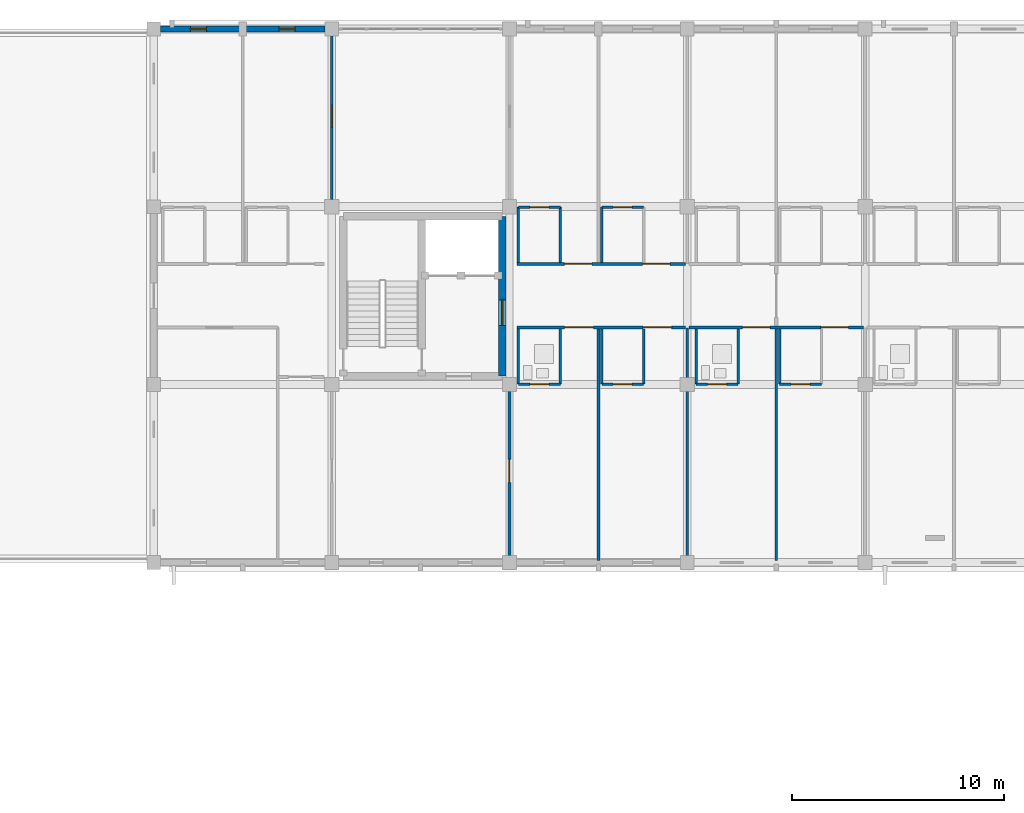
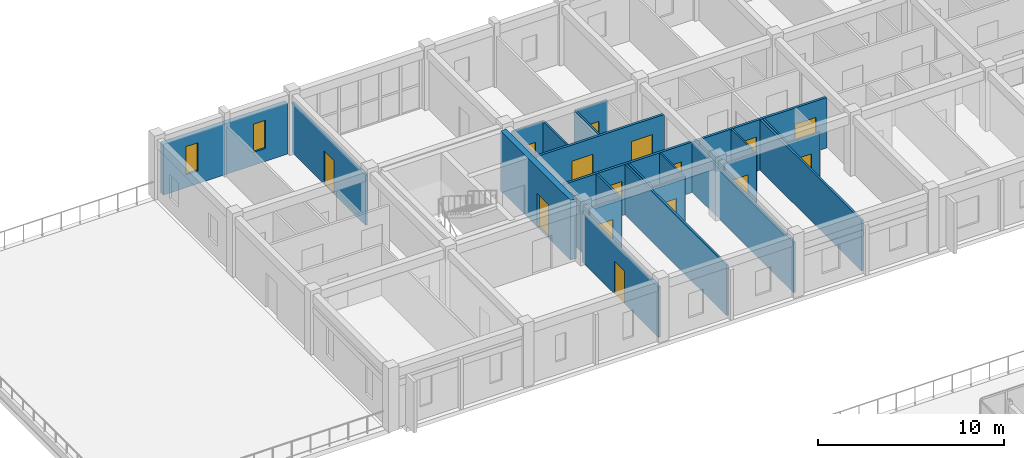
# One storey, part 70 of 90: 26 walls, 15 doors, 2 windows, 17 openings.
"""IFC4 building model written with IfcOpenShell, lengths in metres."""

from ifc_helpers import new_model, si_unit, direction, frame, frame_2d, origin, place, context, subcontext, project, spatial, rectangle, extrude, material, layer, layer_set, type_object, element, fill, save


model = new_model("IFC4")

# Units and contexts
model_context = context("Model", 3, precision=1e-05, world=origin(), true_north=direction((0.0, 1.0)))
body_context = subcontext(model_context, "Body", "Model", "MODEL_VIEW")
ifc_project = project(units=[si_unit("LENGTHUNIT", "METRE"), si_unit("AREAUNIT", "SQUARE_METRE"), si_unit("VOLUMEUNIT", "CUBIC_METRE"), si_unit("PLANEANGLEUNIT", "RADIAN"), si_unit("MASSUNIT", "GRAM", prefix="KILO")], contexts=[model_context])

# Site, building, storey
site_placement = place(None, origin())
site = spatial("IfcSite", under=ifc_project, at=site_placement, CompositionType="ELEMENT")
building_placement = place(site_placement, origin())
building = spatial("IfcBuilding", under=site, at=building_placement, Name="Trelvath General Hospital", CompositionType="ELEMENT")
storey_placement = place(building_placement, frame((0.0, 0.0, 20.39990234375)))
storey = spatial("IfcBuildingStorey", under=building, at=storey_placement, Name="L05", CompositionType="ELEMENT", Elevation=20.39990234375)

# Wall, openings, doors
ifc_material_1 = material(Name="Gypsum acoustic steel-stud partition", Category="steel")
ifc_layer_1 = layer(ifc_material_1, 0.14990234375)
ifc_layer_set_1 = layer_set([ifc_layer_1], Name="Gypsum acoustic steel-stud partition")
wall_type_1 = type_object("IfcWallType", Name="ClinicalPartition 150", PredefinedType="PARTITIONING", material=ifc_layer_set_1)
wall_1_placement = place(storey_placement, frame((50.760009765625, 103.5, 0.0), z_axis=(0.0, 0.0, 1.0), x_axis=(1.0, 0.0, 0.0)))
wall_1 = element("IfcWall", 1, at=wall_1_placement, inside=storey, type_object=wall_type_1, Name="Corridor Partition L05-1879", PredefinedType="PARTITIONING", context=body_context, shape_type="SweptSolid", body=[
    extrude(rectangle(XDim=7.9599609375, YDim=0.14990234375, at=frame_2d((3.97998046875, 0.0))), origin(), (0.0, 0.0, 1.0), 3.320068359375),
])
opening_1_placement = place(wall_1_placement, frame((2.25, 0.0, 0.0)))
opening_1 = element("IfcOpeningElement", 2, at=opening_1_placement, cuts=wall_1, Name="Opening D-5-1233", PredefinedType="OPENING", context=body_context, shape_type="SweptSolid", body=[
    extrude(rectangle(XDim=1.35009765625, YDim=2.25, at=frame_2d((0.675048828125, 1.125))), frame((0.0, 0.0849609375, 0.0), z_axis=(0.0, -1.0, 0.0), x_axis=(1.0, 0.0, 0.0)), (0.0, 0.0, 1.0), 0.169921875),
])
opening_2_placement = place(wall_1_placement, frame((5.949951171875, 0.0, 0.0)))
opening_2 = element("IfcOpeningElement", 3, at=opening_2_placement, cuts=wall_1, Name="Opening D-5-1234", PredefinedType="OPENING", context=body_context, shape_type="SweptSolid", body=[
    extrude(rectangle(XDim=1.35009765625, YDim=2.25, at=frame_2d((0.675048828125, 1.125))), frame((0.0, 0.0849609375, 0.0), z_axis=(0.0, -1.0, 0.0), x_axis=(1.0, 0.0, 0.0)), (0.0, 0.0, 1.0), 0.169921875),
])
ifc_material_2 = material(Name="Airtight isolation bed door")
door_type_1 = type_object("IfcDoorType", Name="Door PatientIso 1350x2250", OperationType="NOTDEFINED", PredefinedType="DOOR", material=ifc_material_2)
door_1_placement = place(opening_1_placement, origin())
door_1 = element("IfcDoor", 4, at=door_1_placement, inside=storey, type_object=door_type_1, Name="Patient Room Door L05-1233", OperationType="SINGLE_SWING_RIGHT", OverallHeight=2.25, OverallWidth=1.35009765625, PredefinedType="DOOR", context=body_context, shape_type="SweptSolid", body=[
    extrude(rectangle(XDim=1.35009765625, YDim=2.25, at=frame_2d((0.675048828125, 1.125))), frame((0.0, 0.02490234375, 0.0), z_axis=(0.0, -1.0, 0.0), x_axis=(1.0, 0.0, 0.0)), (0.0, 0.0, 1.0), 0.050048828125),
])
fill(opening_1, door_1)
door_2_placement = place(opening_2_placement, origin())
door_2 = element("IfcDoor", 5, at=door_2_placement, inside=storey, type_object=door_type_1, Name="Patient Room Door L05-1234", OperationType="SINGLE_SWING_LEFT", OverallHeight=2.25, OverallWidth=1.35009765625, PredefinedType="DOOR", context=body_context, shape_type="SweptSolid", body=[
    extrude(rectangle(XDim=1.35009765625, YDim=2.25, at=frame_2d((0.675048828125, 1.125))), frame((0.0, 0.02490234375, 0.0), z_axis=(0.0, -1.0, 0.0), x_axis=(1.0, 0.0, 0.0)), (0.0, 0.0, 1.0), 0.050048828125),
])
fill(opening_2, door_2)

wall_2_placement = place(storey_placement, frame((58.719970703125, 106.5, 0.0), z_axis=(0.0, 0.0, 1.0), x_axis=(-1.0, 0.0, 0.0)))
wall_2 = element("IfcWall", 6, at=wall_2_placement, inside=storey, type_object=wall_type_1, Name="Corridor Partition N L05-1887", PredefinedType="PARTITIONING", context=body_context, shape_type="SweptSolid", body=[
    extrude(rectangle(XDim=7.9599609375, YDim=0.14990234375, at=frame_2d((3.97998046875, 0.0))), origin(), (0.0, 0.0, 1.0), 3.320068359375),
])
opening_3_placement = place(wall_2_placement, frame((0.72998046875, 0.0, 0.0)))
opening_3 = element("IfcOpeningElement", 7, at=opening_3_placement, cuts=wall_2, Name="Opening D-5-1237", PredefinedType="OPENING", context=body_context, shape_type="SweptSolid", body=[
    extrude(rectangle(XDim=1.300048828125, YDim=2.25, at=frame_2d((0.64990234375, 1.125))), frame((0.0, 0.0849609375, 0.0), z_axis=(0.0, -1.0, 0.0), x_axis=(1.0, 0.0, 0.0)), (0.0, 0.0, 1.0), 0.169921875),
])
opening_4_placement = place(wall_2_placement, frame((4.429931640625, 0.0, 0.0)))
opening_4 = element("IfcOpeningElement", 8, at=opening_4_placement, cuts=wall_2, Name="Opening D-5-1238", PredefinedType="OPENING", context=body_context, shape_type="SweptSolid", body=[
    extrude(rectangle(XDim=1.300048828125, YDim=2.25, at=frame_2d((0.64990234375, 1.125))), frame((0.0, 0.0849609375, 0.0), z_axis=(0.0, -1.0, 0.0), x_axis=(1.0, 0.0, 0.0)), (0.0, 0.0, 1.0), 0.169921875),
])
ifc_material_3 = material(Name="Hospital bed-leaf timber door", Category="wood")
door_type_2 = type_object("IfcDoorType", Name="Door PatientBed 1300x2250", OperationType="NOTDEFINED", PredefinedType="DOOR", material=ifc_material_3)
door_3_placement = place(opening_3_placement, origin())
door_3 = element("IfcDoor", 9, at=door_3_placement, inside=storey, type_object=door_type_2, Name="Patient Room Door N L05-1237", OperationType="SINGLE_SWING_RIGHT", OverallHeight=2.25, OverallWidth=1.300048828125, PredefinedType="DOOR", context=body_context, shape_type="SweptSolid", body=[
    extrude(rectangle(XDim=1.300048828125, YDim=2.25, at=frame_2d((0.64990234375, 1.125))), frame((0.0, 0.02490234375, 0.0), z_axis=(0.0, -1.0, 0.0), x_axis=(1.0, 0.0, 0.0)), (0.0, 0.0, 1.0), 0.050048828125),
])
fill(opening_3, door_3)
door_4_placement = place(opening_4_placement, origin())
door_4 = element("IfcDoor", 10, at=door_4_placement, inside=storey, type_object=door_type_2, Name="Patient Room Door N L05-1238", OperationType="SINGLE_SWING_RIGHT", OverallHeight=2.25, OverallWidth=1.300048828125, PredefinedType="DOOR", context=body_context, shape_type="SweptSolid", body=[
    extrude(rectangle(XDim=1.300048828125, YDim=2.25, at=frame_2d((0.64990234375, 1.125))), frame((0.0, 0.02490234375, 0.0), z_axis=(0.0, -1.0, 0.0), x_axis=(1.0, 0.0, 0.0)), (0.0, 0.0, 1.0), 0.050048828125),
])
fill(opening_4, door_4)

wall_3_placement = place(storey_placement, frame((58.8798828125, 103.5, 0.0), z_axis=(0.0, 0.0, 1.0), x_axis=(1.0, 0.0, 0.0)))
wall_3 = element("IfcWall", 11, at=wall_3_placement, inside=storey, type_object=wall_type_1, Name="Corridor Partition L05-1897", PredefinedType="PARTITIONING", context=body_context, shape_type="SweptSolid", body=[
    extrude(rectangle(XDim=8.240234375, YDim=0.14990234375, at=frame_2d((4.1201171875, 0.0))), origin(), (0.0, 0.0, 1.0), 3.320068359375),
])
opening_5_placement = place(wall_3_placement, frame((2.530029296875, 0.0, 0.0)))
opening_5 = element("IfcOpeningElement", 12, at=opening_5_placement, cuts=wall_3, Name="Opening D-5-1241", PredefinedType="OPENING", context=body_context, shape_type="SweptSolid", body=[
    extrude(rectangle(XDim=1.300048828125, YDim=2.25, at=frame_2d((0.64990234375, 1.125))), frame((0.0, 0.0849609375, 0.0), z_axis=(0.0, -1.0, 0.0), x_axis=(1.0, 0.0, 0.0)), (0.0, 0.0, 1.0), 0.169921875),
])
opening_6_placement = place(wall_3_placement, frame((6.22998046875, 0.0, 0.0)))
opening_6 = element("IfcOpeningElement", 13, at=opening_6_placement, cuts=wall_3, Name="Opening D-5-1242", PredefinedType="OPENING", context=body_context, shape_type="SweptSolid", body=[
    extrude(rectangle(XDim=1.300048828125, YDim=2.25, at=frame_2d((0.64990234375, 1.125))), frame((0.0, 0.0849609375, 0.0), z_axis=(0.0, -1.0, 0.0), x_axis=(1.0, 0.0, 0.0)), (0.0, 0.0, 1.0), 0.169921875),
])
door_5_placement = place(opening_5_placement, origin())
door_5 = element("IfcDoor", 14, at=door_5_placement, inside=storey, type_object=door_type_2, Name="Patient Room Door L05-1241", OperationType="SINGLE_SWING_LEFT", OverallHeight=2.25, OverallWidth=1.300048828125, PredefinedType="DOOR", context=body_context, shape_type="SweptSolid", body=[
    extrude(rectangle(XDim=1.300048828125, YDim=2.25, at=frame_2d((0.64990234375, 1.125))), frame((0.0, 0.02490234375, 0.0), z_axis=(0.0, -1.0, 0.0), x_axis=(1.0, 0.0, 0.0)), (0.0, 0.0, 1.0), 0.050048828125),
])
fill(opening_5, door_5)
door_6_placement = place(opening_6_placement, origin())
door_6 = element("IfcDoor", 15, at=door_6_placement, inside=storey, type_object=door_type_2, Name="Patient Room Door L05-1242", OperationType="SINGLE_SWING_RIGHT", OverallHeight=2.25, OverallWidth=1.300048828125, PredefinedType="DOOR", context=body_context, shape_type="SweptSolid", body=[
    extrude(rectangle(XDim=1.300048828125, YDim=2.25, at=frame_2d((0.64990234375, 1.125))), frame((0.0, 0.02490234375, 0.0), z_axis=(0.0, -1.0, 0.0), x_axis=(1.0, 0.0, 0.0)), (0.0, 0.0, 1.0), 0.050048828125),
])
fill(opening_6, door_6)

# Wall, opening, door
ifc_material_4 = material(Name="Concrete C40/50", Category="concrete")
ifc_layer_2 = layer(ifc_material_4, 0.35009765625)
ifc_layer_set_2 = layer_set([ifc_layer_2], Name="Concrete C40/50")
wall_type_2 = type_object("IfcWallType", Name="CoreShearWall 350", PredefinedType="SHEAR", material=ifc_layer_set_2)
wall_4_placement = place(storey_placement, frame((50.050048828125, 101.199951171875, 0.0), z_axis=(0.0, 0.0, 1.0), x_axis=(0.0, 1.0, 0.0)))
wall_4 = element("IfcWall", 16, at=wall_4_placement, inside=storey, type_object=wall_type_2, Name="Core Shear Wall C1 E L05", PredefinedType="SHEAR", context=body_context, shape_type="SweptSolid", body=[
    extrude(rectangle(XDim=7.550048828125, YDim=0.35009765625, at=frame_2d((3.77490234375, 0.0))), origin(), (0.0, 0.0, 1.0), 3.920166015625),
])
opening_7_placement = place(wall_4_placement, frame((2.39990234375, 0.0, 0.0)))
opening_7 = element("IfcOpeningElement", 17, at=opening_7_placement, cuts=wall_4, Name="Opening FD-LE15", PredefinedType="OPENING", context=body_context, shape_type="SweptSolid", body=[
    extrude(rectangle(XDim=1.199951171875, YDim=2.199951171875, at=frame_2d((0.60009765625, 1.10009765625))), frame((0.0, 0.18505859375, 0.0), z_axis=(0.0, -1.0, 0.0), x_axis=(1.0, 0.0, 0.0)), (0.0, 0.0, 1.0), 0.3701171875),
])
ifc_material_5 = material(Name="Fire-rated steel door", Category="steel")
door_type_3 = type_object("IfcDoorType", Name="Door FireLobby 1200x2200", OperationType="NOTDEFINED", PredefinedType="DOOR", material=ifc_material_5)
door_7_placement = place(opening_7_placement, origin())
door_7 = element("IfcDoor", 18, at=door_7_placement, inside=storey, type_object=door_type_3, Name="Fire Lobby East Corridor Door C1 L05", OperationType="SINGLE_SWING_LEFT", OverallHeight=2.199951171875, OverallWidth=1.199951171875, PredefinedType="DOOR", context=body_context, shape_type="SweptSolid", body=[
    extrude(rectangle(XDim=1.199951171875, YDim=2.199951171875, at=frame_2d((0.60009765625, 1.10009765625))), frame((0.0, 0.02490234375, 0.0), z_axis=(0.0, -1.0, 0.0), x_axis=(1.0, 0.0, 0.0)), (0.0, 0.0, 1.0), 0.050048828125),
])
fill(opening_7, door_7)

# Walls
ifc_material_6 = material(Name="Moisture-resistant tile partition")
ifc_layer_3 = layer(ifc_material_6, 0.110107421875)
ifc_layer_set_3 = layer_set([ifc_layer_3], Name="Moisture-resistant tile partition")
wall_type_3 = type_object("IfcWallType", Name="EnSuiteWetWall 110", PredefinedType="PARTITIONING", material=ifc_layer_set_3)
for number, where, z_axis, x_axis, name in (
    (19, (50.820068359375, 100.820068359375, 0.0), (0.0, 0.0, 1.0), (0.0, 1.0, 0.0), "En-Suite W Wall L05-1881"),
    (20, (52.800048828125, 100.820068359375, 0.0), (0.0, 0.0, 1.0), (0.0, 1.0, 0.0), "En-Suite E Wall L05-1882"),
):
    element("IfcWall", number, at=place(storey_placement, frame(where, z_axis=z_axis, x_axis=x_axis)), inside=storey, type_object=wall_type_3, Name=name, PredefinedType="PARTITIONING", context=body_context, shape_type="SweptSolid", body=[
        extrude(rectangle(XDim=2.60986328125, YDim=0.110107421875, at=frame_2d((1.304931640625, 0.0))), origin(), (0.0, 0.0, 1.0), 3.320068359375),
    ])

# Wall, opening, door
wall_5_placement = place(storey_placement, frame((50.820068359375, 100.820068359375, 0.0), z_axis=(0.0, 0.0, 1.0), x_axis=(1.0, 0.0, 0.0)))
wall_5 = element("IfcWall", 21, at=wall_5_placement, inside=storey, type_object=wall_type_3, Name="En-Suite Bathroom Partition L05-1883", PredefinedType="PARTITIONING", context=body_context, shape_type="SweptSolid", body=[
    extrude(rectangle(XDim=1.97998046875, YDim=0.110107421875, at=frame_2d((0.989990234375, 0.0))), origin(), (0.0, 0.0, 1.0), 3.320068359375),
])
opening_8_placement = place(wall_5_placement, frame((0.5400390625, 0.0, 0.0)))
opening_8 = element("IfcOpeningElement", 22, at=opening_8_placement, cuts=wall_5, Name="Opening D-5-1235", PredefinedType="OPENING", context=body_context, shape_type="SweptSolid", body=[
    extrude(rectangle(XDim=0.89990234375, YDim=2.10009765625, at=frame_2d((0.449951171875, 1.050048828125))), frame((0.0, 0.06494140625, 0.0), z_axis=(0.0, -1.0, 0.0), x_axis=(1.0, 0.0, 0.0)), (0.0, 0.0, 1.0), 0.130126953125),
])
ifc_material_7 = material(Name="Moisture-sealed timber leaf", Category="wood")
door_type_4 = type_object("IfcDoorType", Name="Door EnSuite 900x2100", OperationType="NOTDEFINED", PredefinedType="DOOR", material=ifc_material_7)
door_8_placement = place(opening_8_placement, origin())
door_8 = element("IfcDoor", 23, at=door_8_placement, inside=storey, type_object=door_type_4, Name="En-Suite Bathroom Door L05-1235", OperationType="SINGLE_SWING_RIGHT", OverallHeight=2.10009765625, OverallWidth=0.89990234375, PredefinedType="DOOR", context=body_context, shape_type="SweptSolid", body=[
    extrude(rectangle(XDim=0.89990234375, YDim=2.10009765625, at=frame_2d((0.449951171875, 1.050048828125))), frame((0.0, 0.02490234375, 0.0), z_axis=(0.0, -1.0, 0.0), x_axis=(1.0, 0.0, 0.0)), (0.0, 0.0, 1.0), 0.050048828125),
])
fill(opening_8, door_8)

# Walls
for number, where, z_axis, x_axis, name in (
    (24, (54.760009765625, 100.820068359375, 0.0), (0.0, 0.0, 1.0), (0.0, 1.0, 0.0), "En-Suite W Wall L05-1884"),
    (25, (56.739990234375, 100.820068359375, 0.0), (0.0, 0.0, 1.0), (0.0, 1.0, 0.0), "En-Suite E Wall L05-1885"),
):
    element("IfcWall", number, at=place(storey_placement, frame(where, z_axis=z_axis, x_axis=x_axis)), inside=storey, type_object=wall_type_3, Name=name, PredefinedType="PARTITIONING", context=body_context, shape_type="SweptSolid", body=[
        extrude(rectangle(XDim=2.60986328125, YDim=0.110107421875, at=frame_2d((1.304931640625, 0.0))), origin(), (0.0, 0.0, 1.0), 3.320068359375),
    ])

# Wall, opening, door
wall_6_placement = place(storey_placement, frame((54.760009765625, 100.820068359375, 0.0), z_axis=(0.0, 0.0, 1.0), x_axis=(1.0, 0.0, 0.0)))
wall_6 = element("IfcWall", 26, at=wall_6_placement, inside=storey, type_object=wall_type_3, Name="En-Suite Bathroom Partition L05-1886", PredefinedType="PARTITIONING", context=body_context, shape_type="SweptSolid", body=[
    extrude(rectangle(XDim=1.97998046875, YDim=0.110107421875, at=frame_2d((0.989990234375, 0.0))), origin(), (0.0, 0.0, 1.0), 3.320068359375),
])
opening_9_placement = place(wall_6_placement, frame((0.5400390625, 0.0, 0.0)))
opening_9 = element("IfcOpeningElement", 27, at=opening_9_placement, cuts=wall_6, Name="Opening D-5-1236", PredefinedType="OPENING", context=body_context, shape_type="SweptSolid", body=[
    extrude(rectangle(XDim=0.89990234375, YDim=2.10009765625, at=frame_2d((0.449951171875, 1.050048828125))), frame((0.0, 0.06494140625, 0.0), z_axis=(0.0, -1.0, 0.0), x_axis=(1.0, 0.0, 0.0)), (0.0, 0.0, 1.0), 0.130126953125),
])
door_9_placement = place(opening_9_placement, origin())
door_9 = element("IfcDoor", 28, at=door_9_placement, inside=storey, type_object=door_type_4, Name="En-Suite Bathroom Door L05-1236", OperationType="SINGLE_SWING_LEFT", OverallHeight=2.10009765625, OverallWidth=0.89990234375, PredefinedType="DOOR", context=body_context, shape_type="SweptSolid", body=[
    extrude(rectangle(XDim=0.89990234375, YDim=2.10009765625, at=frame_2d((0.449951171875, 1.050048828125))), frame((0.0, 0.02490234375, 0.0), z_axis=(0.0, -1.0, 0.0), x_axis=(1.0, 0.0, 0.0)), (0.0, 0.0, 1.0), 0.050048828125),
])
fill(opening_9, door_9)

# Walls
for number, where, z_axis, x_axis, name in (
    (29, (50.820068359375, 106.570068359375, 0.0), (0.0, 0.0, 1.0), (0.0, 1.0, 0.0), "En-Suite W Wall N L05-1889"),
    (30, (52.800048828125, 106.570068359375, 0.0), (0.0, 0.0, 1.0), (0.0, 1.0, 0.0), "En-Suite E Wall N L05-1890"),
):
    element("IfcWall", number, at=place(storey_placement, frame(where, z_axis=z_axis, x_axis=x_axis)), inside=storey, type_object=wall_type_3, Name=name, PredefinedType="PARTITIONING", context=body_context, shape_type="SweptSolid", body=[
        extrude(rectangle(XDim=2.60986328125, YDim=0.110107421875, at=frame_2d((1.304931640625, 0.0))), origin(), (0.0, 0.0, 1.0), 3.320068359375),
    ])

# Wall, opening, door
wall_7_placement = place(storey_placement, frame((50.820068359375, 109.179931640625, 0.0), z_axis=(0.0, 0.0, 1.0), x_axis=(1.0, 0.0, 0.0)))
wall_7 = element("IfcWall", 31, at=wall_7_placement, inside=storey, type_object=wall_type_3, Name="En-Suite Bathroom N Partition L05-1891", PredefinedType="PARTITIONING", context=body_context, shape_type="SweptSolid", body=[
    extrude(rectangle(XDim=1.97998046875, YDim=0.110107421875, at=frame_2d((0.989990234375, 0.0))), origin(), (0.0, 0.0, 1.0), 3.320068359375),
])
opening_10_placement = place(wall_7_placement, frame((0.5400390625, 0.0, 0.0)))
opening_10 = element("IfcOpeningElement", 32, at=opening_10_placement, cuts=wall_7, Name="Opening D-5-1239", PredefinedType="OPENING", context=body_context, shape_type="SweptSolid", body=[
    extrude(rectangle(XDim=0.89990234375, YDim=2.10009765625, at=frame_2d((0.449951171875, 1.050048828125))), frame((0.0, 0.06494140625, 0.0), z_axis=(0.0, -1.0, 0.0), x_axis=(1.0, 0.0, 0.0)), (0.0, 0.0, 1.0), 0.130126953125),
])
door_10_placement = place(opening_10_placement, origin())
door_10 = element("IfcDoor", 33, at=door_10_placement, inside=storey, type_object=door_type_4, Name="En-Suite Bathroom N Door L05-1239", OperationType="SINGLE_SWING_LEFT", OverallHeight=2.10009765625, OverallWidth=0.89990234375, PredefinedType="DOOR", context=body_context, shape_type="SweptSolid", body=[
    extrude(rectangle(XDim=0.89990234375, YDim=2.10009765625, at=frame_2d((0.449951171875, 1.050048828125))), frame((0.0, 0.02490234375, 0.0), z_axis=(0.0, -1.0, 0.0), x_axis=(1.0, 0.0, 0.0)), (0.0, 0.0, 1.0), 0.050048828125),
])
fill(opening_10, door_10)

# Wall
wall_8_placement = place(storey_placement, frame((54.760009765625, 106.570068359375, 0.0), z_axis=(0.0, 0.0, 1.0), x_axis=(0.0, 1.0, 0.0)))
element("IfcWall", 34, at=wall_8_placement, inside=storey, type_object=wall_type_3, Name="En-Suite W Wall N L05-1892", PredefinedType="PARTITIONING", context=body_context, shape_type="SweptSolid", body=[
    extrude(rectangle(XDim=2.60986328125, YDim=0.110107421875, at=frame_2d((1.304931640625, 0.0))), origin(), (0.0, 0.0, 1.0), 3.320068359375),
])

# Wall, opening, door
wall_9_placement = place(storey_placement, frame((54.760009765625, 109.179931640625, 0.0), z_axis=(0.0, 0.0, 1.0), x_axis=(1.0, 0.0, 0.0)))
wall_9 = element("IfcWall", 35, at=wall_9_placement, inside=storey, type_object=wall_type_3, Name="En-Suite Bathroom N Partition L05-1894", PredefinedType="PARTITIONING", context=body_context, shape_type="SweptSolid", body=[
    extrude(rectangle(XDim=1.97998046875, YDim=0.110107421875, at=frame_2d((0.989990234375, 0.0))), origin(), (0.0, 0.0, 1.0), 3.320068359375),
])
opening_11_placement = place(wall_9_placement, frame((0.5400390625, 0.0, 0.0)))
opening_11 = element("IfcOpeningElement", 36, at=opening_11_placement, cuts=wall_9, Name="Opening D-5-1240", PredefinedType="OPENING", context=body_context, shape_type="SweptSolid", body=[
    extrude(rectangle(XDim=0.89990234375, YDim=2.10009765625, at=frame_2d((0.449951171875, 1.050048828125))), frame((0.0, 0.06494140625, 0.0), z_axis=(0.0, -1.0, 0.0), x_axis=(1.0, 0.0, 0.0)), (0.0, 0.0, 1.0), 0.130126953125),
])
door_11_placement = place(opening_11_placement, origin())
door_11 = element("IfcDoor", 37, at=door_11_placement, inside=storey, type_object=door_type_4, Name="En-Suite Bathroom N Door L05-1240", OperationType="SINGLE_SWING_RIGHT", OverallHeight=2.10009765625, OverallWidth=0.89990234375, PredefinedType="DOOR", context=body_context, shape_type="SweptSolid", body=[
    extrude(rectangle(XDim=0.89990234375, YDim=2.10009765625, at=frame_2d((0.449951171875, 1.050048828125))), frame((0.0, 0.02490234375, 0.0), z_axis=(0.0, -1.0, 0.0), x_axis=(1.0, 0.0, 0.0)), (0.0, 0.0, 1.0), 0.050048828125),
])
fill(opening_11, door_11)

# Walls
for number, where, z_axis, x_axis, name in (
    (38, (59.219970703125, 100.820068359375, 0.0), (0.0, 0.0, 1.0), (0.0, 1.0, 0.0), "En-Suite W Wall L05-1899"),
    (39, (61.199951171875, 100.820068359375, 0.0), (0.0, 0.0, 1.0), (0.0, 1.0, 0.0), "En-Suite E Wall L05-1900"),
):
    element("IfcWall", number, at=place(storey_placement, frame(where, z_axis=z_axis, x_axis=x_axis)), inside=storey, type_object=wall_type_3, Name=name, PredefinedType="PARTITIONING", context=body_context, shape_type="SweptSolid", body=[
        extrude(rectangle(XDim=2.60986328125, YDim=0.110107421875, at=frame_2d((1.304931640625, 0.0))), origin(), (0.0, 0.0, 1.0), 3.320068359375),
    ])

# Wall, opening, door
wall_10_placement = place(storey_placement, frame((59.219970703125, 100.820068359375, 0.0), z_axis=(0.0, 0.0, 1.0), x_axis=(1.0, 0.0, 0.0)))
wall_10 = element("IfcWall", 40, at=wall_10_placement, inside=storey, type_object=wall_type_3, Name="En-Suite Bathroom Partition L05-1901", PredefinedType="PARTITIONING", context=body_context, shape_type="SweptSolid", body=[
    extrude(rectangle(XDim=1.97998046875, YDim=0.110107421875, at=frame_2d((0.989990234375, 0.0))), origin(), (0.0, 0.0, 1.0), 3.320068359375),
])
opening_12_placement = place(wall_10_placement, frame((0.5400390625, 0.0, 0.0)))
opening_12 = element("IfcOpeningElement", 41, at=opening_12_placement, cuts=wall_10, Name="Opening D-5-1243", PredefinedType="OPENING", context=body_context, shape_type="SweptSolid", body=[
    extrude(rectangle(XDim=0.89990234375, YDim=2.10009765625, at=frame_2d((0.449951171875, 1.050048828125))), frame((0.0, 0.06494140625, 0.0), z_axis=(0.0, -1.0, 0.0), x_axis=(1.0, 0.0, 0.0)), (0.0, 0.0, 1.0), 0.130126953125),
])
door_12_placement = place(opening_12_placement, origin())
door_12 = element("IfcDoor", 42, at=door_12_placement, inside=storey, type_object=door_type_4, Name="En-Suite Bathroom Door L05-1243", OperationType="SINGLE_SWING_LEFT", OverallHeight=2.10009765625, OverallWidth=0.89990234375, PredefinedType="DOOR", context=body_context, shape_type="SweptSolid", body=[
    extrude(rectangle(XDim=0.89990234375, YDim=2.10009765625, at=frame_2d((0.449951171875, 1.050048828125))), frame((0.0, 0.02490234375, 0.0), z_axis=(0.0, -1.0, 0.0), x_axis=(1.0, 0.0, 0.0)), (0.0, 0.0, 1.0), 0.050048828125),
])
fill(opening_12, door_12)

# Wall
wall_11_placement = place(storey_placement, frame((63.159912109375, 100.820068359375, 0.0), z_axis=(0.0, 0.0, 1.0), x_axis=(0.0, 1.0, 0.0)))
element("IfcWall", 43, at=wall_11_placement, inside=storey, type_object=wall_type_3, Name="En-Suite W Wall L05-1902", PredefinedType="PARTITIONING", context=body_context, shape_type="SweptSolid", body=[
    extrude(rectangle(XDim=2.60986328125, YDim=0.110107421875, at=frame_2d((1.304931640625, 0.0))), origin(), (0.0, 0.0, 1.0), 3.320068359375),
])

# Wall, opening, door
wall_12_placement = place(storey_placement, frame((63.159912109375, 100.820068359375, 0.0), z_axis=(0.0, 0.0, 1.0), x_axis=(1.0, 0.0, 0.0)))
wall_12 = element("IfcWall", 44, at=wall_12_placement, inside=storey, type_object=wall_type_3, Name="En-Suite Bathroom Partition L05-1904", PredefinedType="PARTITIONING", context=body_context, shape_type="SweptSolid", body=[
    extrude(rectangle(XDim=1.97998046875, YDim=0.110107421875, at=frame_2d((0.989990234375, 0.0))), origin(), (0.0, 0.0, 1.0), 3.320068359375),
])
opening_13_placement = place(wall_12_placement, frame((0.5400390625, 0.0, 0.0)))
opening_13 = element("IfcOpeningElement", 45, at=opening_13_placement, cuts=wall_12, Name="Opening D-5-1244", PredefinedType="OPENING", context=body_context, shape_type="SweptSolid", body=[
    extrude(rectangle(XDim=0.89990234375, YDim=2.10009765625, at=frame_2d((0.449951171875, 1.050048828125))), frame((0.0, 0.06494140625, 0.0), z_axis=(0.0, -1.0, 0.0), x_axis=(1.0, 0.0, 0.0)), (0.0, 0.0, 1.0), 0.130126953125),
])
door_13_placement = place(opening_13_placement, origin())
door_13 = element("IfcDoor", 46, at=door_13_placement, inside=storey, type_object=door_type_4, Name="En-Suite Bathroom Door L05-1244", OperationType="SINGLE_SWING_RIGHT", OverallHeight=2.10009765625, OverallWidth=0.89990234375, PredefinedType="DOOR", context=body_context, shape_type="SweptSolid", body=[
    extrude(rectangle(XDim=0.89990234375, YDim=2.10009765625, at=frame_2d((0.449951171875, 1.050048828125))), frame((0.0, 0.02490234375, 0.0), z_axis=(0.0, -1.0, 0.0), x_axis=(1.0, 0.0, 0.0)), (0.0, 0.0, 1.0), 0.050048828125),
])
fill(opening_13, door_13)

# Wall, openings, windows
ifc_material_8 = material(Name="Concrete C35/45", Category="concrete")
ifc_layer_4 = layer(ifc_material_8, 0.2900390625)
ifc_layer_set_4 = layer_set([ifc_layer_4], Name="Concrete C35/45")
wall_type_4 = type_object("IfcWallType", Name="ExtBushHammeredWall 290", PredefinedType="SOLIDWALL", material=ifc_layer_set_4)
wall_13_placement = place(storey_placement, frame((33.919921875, 117.60009765625, 0.0), z_axis=(0.0, 0.0, 1.0), x_axis=(1.0, 0.0, 0.0)))
wall_13 = element("IfcWall", 47, at=wall_13_placement, inside=storey, type_object=wall_type_4, Name="Exterior Concrete Wall L05-500", PredefinedType="SOLIDWALL", context=body_context, shape_type="SweptSolid", body=[
    extrude(rectangle(XDim=7.760009765625, YDim=0.2900390625, at=frame_2d((3.8798828125, 0.0))), origin(), (0.0, 0.0, 1.0), 3.340087890625),
])
opening_14_placement = place(wall_13_placement, frame((1.409912109375, 0.0, 0.85009765625)))
opening_14 = element("IfcOpeningElement", 48, at=opening_14_placement, cuts=wall_13, Name="Opening WN-5-825", PredefinedType="OPENING", context=body_context, shape_type="SweptSolid", body=[
    extrude(rectangle(XDim=0.75, YDim=1.85009765625, at=frame_2d((0.375, 0.925048828125))), frame((0.0, 0.155029296875, 0.0), z_axis=(0.0, -1.0, 0.0), x_axis=(1.0, 0.0, 0.0)), (0.0, 0.0, 1.0), 0.31005859375),
])
opening_15_placement = place(wall_13_placement, frame((5.60009765625, 0.0, 0.85009765625)))
opening_15 = element("IfcOpeningElement", 49, at=opening_15_placement, cuts=wall_13, Name="Opening WN-5-826", PredefinedType="OPENING", context=body_context, shape_type="SweptSolid", body=[
    extrude(rectangle(XDim=0.75, YDim=1.85009765625, at=frame_2d((0.375, 0.925048828125))), frame((0.0, 0.155029296875, 0.0), z_axis=(0.0, -1.0, 0.0), x_axis=(1.0, 0.0, 0.0)), (0.0, 0.0, 1.0), 0.31005859375),
])
ifc_material_9 = material(Name="Low-E laminated glass", Category="glass")
window_type = type_object("IfcWindowType", Name="Window SunSlot 750x1850", PartitioningType="SINGLE_PANEL", PredefinedType="WINDOW", material=ifc_material_9)
window_1_placement = place(opening_14_placement, origin())
window_1 = element("IfcWindow", 50, at=window_1_placement, inside=storey, type_object=window_type, Name="Solar Reveal Window L05-825", OverallHeight=1.85009765625, OverallWidth=0.75, PartitioningType="SINGLE_PANEL", PredefinedType="WINDOW", context=body_context, shape_type="SweptSolid", body=[
    extrude(rectangle(XDim=0.75, YDim=1.85009765625, at=frame_2d((0.375, 0.925048828125))), frame((0.0, 0.030029296875, 0.0), z_axis=(0.0, -1.0, 0.0), x_axis=(1.0, 0.0, 0.0)), (0.0, 0.0, 1.0), 0.06005859375),
])
fill(opening_14, window_1)
window_2_placement = place(opening_15_placement, origin())
window_2 = element("IfcWindow", 51, at=window_2_placement, inside=storey, type_object=window_type, Name="Solar Reveal Window L05-826", OverallHeight=1.85009765625, OverallWidth=0.75, PartitioningType="SINGLE_PANEL", PredefinedType="WINDOW", context=body_context, shape_type="SweptSolid", body=[
    extrude(rectangle(XDim=0.75, YDim=1.85009765625, at=frame_2d((0.375, 0.925048828125))), frame((0.0, 0.030029296875, 0.0), z_axis=(0.0, -1.0, 0.0), x_axis=(1.0, 0.0, 0.0)), (0.0, 0.0, 1.0), 0.06005859375),
])
fill(opening_15, window_2)

# Wall, opening, door
ifc_material_10 = material(Name="Gypsum acoustic steel-stud partition", Category="steel")
ifc_layer_5 = layer(ifc_material_10, 0.1298828125)
ifc_layer_set_5 = layer_set([ifc_layer_5], Name="Gypsum acoustic steel-stud partition")
wall_type_5 = type_object("IfcWallType", Name="WardPartition 130", PredefinedType="PARTITIONING", material=ifc_layer_set_5)
wall_14_placement = place(storey_placement, frame((42.0, 109.550048828125, 0.0), z_axis=(0.0, 0.0, 1.0), x_axis=(0.0, 1.0, 0.0)))
wall_14 = element("IfcWall", 52, at=wall_14_placement, inside=storey, type_object=wall_type_5, Name="Inter-Bay Ward Partition N L05-1876", PredefinedType="PARTITIONING", context=body_context, shape_type="SweptSolid", body=[
    extrude(rectangle(XDim=7.909912109375, YDim=0.1298828125, at=frame_2d((3.955078125, 0.0))), origin(), (0.0, 0.0, 1.0), 3.320068359375),
])
opening_16_placement = place(wall_14_placement, frame((3.39990234375, 0.0, 0.0)))
opening_16 = element("IfcOpeningElement", 53, at=opening_16_placement, cuts=wall_14, Name="Opening D-5-1230", PredefinedType="OPENING", context=body_context, shape_type="SweptSolid", body=[
    extrude(rectangle(XDim=1.050048828125, YDim=2.199951171875, at=frame_2d((0.52490234375, 1.10009765625))), frame((0.0, 0.074951171875, 0.0), z_axis=(0.0, -1.0, 0.0), x_axis=(1.0, 0.0, 0.0)), (0.0, 0.0, 1.0), 0.14990234375),
])
ifc_material_11 = material(Name="Acoustic hospital timber leaf", Category="wood")
door_type_5 = type_object("IfcDoorType", Name="Door Consult 1050x2200", OperationType="NOTDEFINED", PredefinedType="DOOR", material=ifc_material_11)
door_14_placement = place(opening_16_placement, origin())
door_14 = element("IfcDoor", 54, at=door_14_placement, inside=storey, type_object=door_type_5, Name="Consultation Connecting Door L05-1230", OperationType="SINGLE_SWING_LEFT", OverallHeight=2.199951171875, OverallWidth=1.050048828125, PredefinedType="DOOR", context=body_context, shape_type="SweptSolid", body=[
    extrude(rectangle(XDim=1.050048828125, YDim=2.199951171875, at=frame_2d((0.52490234375, 1.10009765625))), frame((0.0, 0.02490234375, 0.0), z_axis=(0.0, -1.0, 0.0), x_axis=(1.0, 0.0, 0.0)), (0.0, 0.0, 1.0), 0.050048828125),
])
fill(opening_16, door_14)

wall_15_placement = place(storey_placement, frame((50.39990234375, 92.5400390625, 0.0), z_axis=(0.0, 0.0, 1.0), x_axis=(0.0, 1.0, 0.0)))
wall_15 = element("IfcWall", 55, at=wall_15_placement, inside=storey, type_object=wall_type_5, Name="Inter-Bay Ward Partition S L05-1877", PredefinedType="PARTITIONING", context=body_context, shape_type="SweptSolid", body=[
    extrude(rectangle(XDim=8.2099609375, YDim=0.1298828125, at=frame_2d((4.10498046875, 0.0))), origin(), (0.0, 0.0, 1.0), 3.320068359375),
])
opening_17_placement = place(wall_15_placement, frame((3.639892578125, 0.0, 0.0)))
opening_17 = element("IfcOpeningElement", 56, at=opening_17_placement, cuts=wall_15, Name="Opening D-5-1231", PredefinedType="OPENING", context=body_context, shape_type="SweptSolid", body=[
    extrude(rectangle(XDim=1.080078125, YDim=2.14990234375, at=frame_2d((0.5400390625, 1.074951171875))), frame((0.0, 0.074951171875, 0.0), z_axis=(0.0, -1.0, 0.0), x_axis=(1.0, 0.0, 0.0)), (0.0, 0.0, 1.0), 0.14990234375),
])
ifc_material_12 = material(Name="Acoustic hospital timber leaf", Category="wood")
door_type_6 = type_object("IfcDoorType", Name="Door CleanSupply 1080x2150", OperationType="NOTDEFINED", PredefinedType="DOOR", material=ifc_material_12)
door_15_placement = place(opening_17_placement, origin())
door_15 = element("IfcDoor", 57, at=door_15_placement, inside=storey, type_object=door_type_6, Name="Clean Supply Connecting Door L05-1231", OperationType="SINGLE_SWING_RIGHT", OverallHeight=2.14990234375, OverallWidth=1.080078125, PredefinedType="DOOR", context=body_context, shape_type="SweptSolid", body=[
    extrude(rectangle(XDim=1.080078125, YDim=2.14990234375, at=frame_2d((0.5400390625, 1.074951171875))), frame((0.0, 0.02490234375, 0.0), z_axis=(0.0, -1.0, 0.0), x_axis=(1.0, 0.0, 0.0)), (0.0, 0.0, 1.0), 0.050048828125),
])
fill(opening_17, door_15)

# Walls
wall_16_placement = place(storey_placement, frame((54.60009765625, 92.5, 0.0), z_axis=(0.0, 0.0, 1.0), x_axis=(0.0, 1.0, 0.0)))
element("IfcWall", 58, at=wall_16_placement, inside=storey, type_object=wall_type_5, Name="Room Dividing Partition S L05-1880", PredefinedType="PARTITIONING", context=body_context, shape_type="SweptSolid", body=[
    extrude(rectangle(XDim=10.929931640625, YDim=0.1298828125, at=frame_2d((5.46484375, 0.0))), origin(), (0.0, 0.0, 1.0), 3.320068359375),
])
wall_17_placement = place(storey_placement, frame((58.800048828125, 92.5400390625, 0.0), z_axis=(0.0, 0.0, 1.0), x_axis=(0.0, 1.0, 0.0)))
element("IfcWall", 59, at=wall_17_placement, inside=storey, type_object=wall_type_5, Name="Inter-Bay Ward Partition S L05-1895", PredefinedType="PARTITIONING", context=body_context, shape_type="SweptSolid", body=[
    extrude(rectangle(XDim=10.93994140625, YDim=0.1298828125, at=frame_2d((5.469970703125, 0.0))), origin(), (0.0, 0.0, 1.0), 3.320068359375),
])
wall_18_placement = place(storey_placement, frame((63.0, 92.5, 0.0), z_axis=(0.0, 0.0, 1.0), x_axis=(0.0, 1.0, 0.0)))
element("IfcWall", 60, at=wall_18_placement, inside=storey, type_object=wall_type_5, Name="Room Dividing Partition S L05-1898", PredefinedType="PARTITIONING", context=body_context, shape_type="SweptSolid", body=[
    extrude(rectangle(XDim=10.929931640625, YDim=0.1298828125, at=frame_2d((5.46484375, 0.0))), origin(), (0.0, 0.0, 1.0), 3.320068359375),
])

save(model, "model.ifc")
